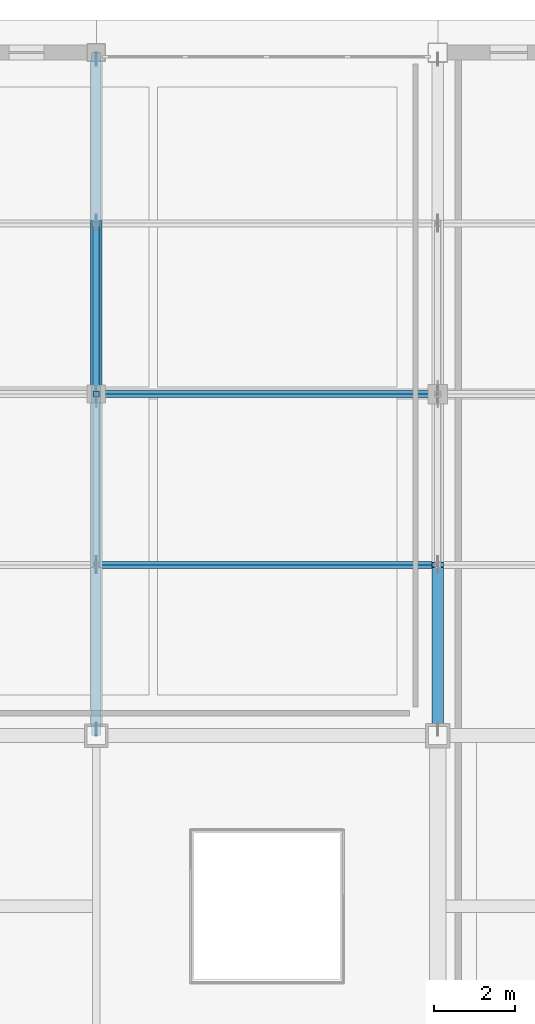
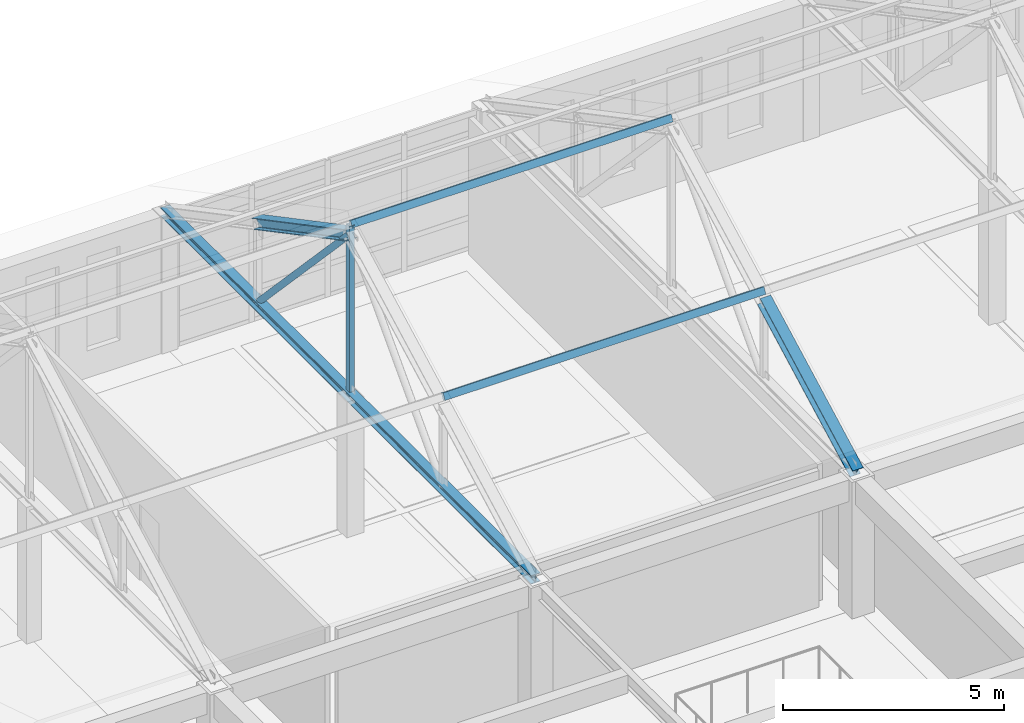
# One storey, part 20 of 56: 7 members.
"""IFC4 building model written with IfcOpenShell, lengths in metres."""

from ifc_helpers import new_model, si_unit, direction, frame, origin, origin_2d, place, context, subcontext, project, spatial, hollow_rectangle, hollow_circle, i_section, extrude, material, material_profile, profile_set, type_object, element, save


model = new_model("IFC4")

# Units and contexts
model_context = context("Model", 3, precision=1e-05, world=origin(), true_north=direction((0.0, 1.0)))
body_context = subcontext(model_context, "Body", "Model", "MODEL_VIEW")
ifc_project = project(units=[si_unit("LENGTHUNIT", "METRE"), si_unit("AREAUNIT", "SQUARE_METRE"), si_unit("VOLUMEUNIT", "CUBIC_METRE"), si_unit("PLANEANGLEUNIT", "RADIAN"), si_unit("MASSUNIT", "GRAM", prefix="KILO")], contexts=[model_context])

# Site, building, storey
site_placement = place(None, origin())
site = spatial("IfcSite", under=ifc_project, at=site_placement, CompositionType="ELEMENT")
building_placement = place(site_placement, origin())
building = spatial("IfcBuilding", under=site, at=building_placement, Name="Kveldsbrygga Polytechnic", CompositionType="ELEMENT")
storey_placement = place(building_placement, frame((0.0, 0.0, 18.02001953125)))
storey = spatial("IfcBuildingStorey", under=building, at=storey_placement, Name="L04", CompositionType="ELEMENT", Elevation=18.02001953125)

# Members
ifc_material = material(Name="Steel S355", Category="steel")
ifc_material_profile_1 = material_profile(ifc_material, hollow_circle(Radius=0.084228515625, WallThickness=0.010009765625, at=origin_2d()), Name="CHS 168.3x10.0")
ifc_profile_set_1 = profile_set([ifc_material_profile_1], Name="Steel S355")
member_type_1 = type_object("IfcMemberType", Name="BR-WIND-CHS168", PredefinedType="BRACE", material=ifc_profile_set_1)
member_1_placement = place(storey_placement, frame((142.800048828125, 109.199951171875, 8.22998046875), z_axis=(0.0, 0.686383320151, -0.727239945148), x_axis=(-1.0, 0.0, 0.0)))
element("IfcMember", 1, at=member_1_placement, inside=storey, type_object=member_type_1, Name="Truss Diagonal V4N5-T03-DG-3", PredefinedType="BRACE", context=body_context, shape_type="SweptSolid", body=[
    extrude(hollow_circle(Radius=0.084228515625, WallThickness=0.010009765625, at=origin_2d()), origin(), (0.0, 0.0, 1.0), 6.118896484375),
])
ifc_material_profile_2 = material_profile(ifc_material, hollow_rectangle(XDim=0.10009765625, YDim=0.179931640625, WallThickness=0.008056640625, at=origin_2d()), Name="RHS 180x100x8.0")
ifc_profile_set_2 = profile_set([ifc_material_profile_2], Name="Steel S355")
member_type_2 = type_object("IfcMemberType", Name="PRL-RHS180", PredefinedType="PURLIN", material=ifc_profile_set_2)
for number, where, z_axis, x_axis, name in (
    (2, (142.800048828125, 105.0, 6.265380859375), (1.0, 0.0, 0.0), (0.0, 0.883660254474, -0.468128779998), "Roof Purlin V4N5-PRL-3-1"),
    (3, (142.800048828125, 109.199951171875, 8.490234375), (1.0, 0.0, 0.0), (0.0, 0.883660254474, -0.468128779998), "Roof Purlin V4N5-PRL-3-2"),
):
    element("IfcMember", number, at=place(storey_placement, frame(where, z_axis=z_axis, x_axis=x_axis)), inside=storey, type_object=member_type_2, Name=name, PredefinedType="PURLIN", context=body_context, shape_type="SweptSolid", body=[
        extrude(hollow_rectangle(XDim=0.10009765625, YDim=0.179931640625, WallThickness=0.008056640625, at=origin_2d()), origin(), (0.0, 0.0, 1.0), 8.39990234375),
    ])
ifc_material_profile_3 = material_profile(ifc_material, i_section(OverallWidth=0.239990234375, OverallDepth=0.239990234375, WebThickness=0.010009765625, FlangeThickness=0.01708984375, FilletRadius=0.02099609375, at=origin_2d()), Name="HEB 240")
ifc_profile_set_3 = profile_set([ifc_material_profile_3], Name="Steel S355")
member_type_3 = type_object("IfcMemberType", Name="TR-BOT-HEB240", PredefinedType="CHORD", material=ifc_profile_set_3)
member_2_placement = place(storey_placement, frame((142.800048828125, 100.800048828125, 3.780029296875), z_axis=(0.0, 1.0, 0.0), x_axis=(-1.0, 0.0, 0.0)))
element("IfcMember", 4, at=member_2_placement, inside=storey, type_object=member_type_3, Name="Truss Bottom Chord V4N5-T03-BC-1", PredefinedType="CHORD", context=body_context, shape_type="SweptSolid", body=[
    extrude(i_section(OverallWidth=0.239990234375, OverallDepth=0.239990234375, WebThickness=0.010009765625, FlangeThickness=0.01708984375, FilletRadius=0.02099609375, at=origin_2d()), origin(), (0.0, 0.0, 1.0), 16.800048828125),
])
ifc_material_profile_4 = material_profile(ifc_material, hollow_rectangle(XDim=0.139892578125, YDim=0.139892578125, WallThickness=0.008056640625, at=origin_2d()), Name="SHS 140x140x8.0")
ifc_profile_set_4 = profile_set([ifc_material_profile_4], Name="Steel S355")
member_type_4 = type_object("IfcMemberType", Name="TR-POST-SHS140", PredefinedType="STRUT", material=ifc_profile_set_4)
member_3_placement = place(storey_placement, frame((142.800048828125, 109.199951171875, 3.780029296875), z_axis=(0.0, 0.0, 1.0), x_axis=(1.0, 0.0, 0.0)))
element("IfcMember", 5, at=member_3_placement, inside=storey, type_object=member_type_4, Name="Truss Vertical V4N5-T03-VT-2", PredefinedType="STRUT", context=body_context, shape_type="SweptSolid", body=[
    extrude(hollow_rectangle(XDim=0.139892578125, YDim=0.139892578125, WallThickness=0.008056640625, at=origin_2d()), origin(), (0.0, 0.0, 1.0), 4.710205078125),
])
ifc_material_profile_5 = material_profile(ifc_material, i_section(OverallWidth=0.280029296875, OverallDepth=0.280029296875, WebThickness=0.010498046875, FlangeThickness=0.01806640625, FilletRadius=0.02392578125, at=origin_2d()), Name="HEB 280")
ifc_profile_set_5 = profile_set([ifc_material_profile_5], Name="Steel S355")
member_type_5 = type_object("IfcMemberType", Name="TR-TOP-HEB280", PredefinedType="CHORD", material=ifc_profile_set_5)
for number, where, z_axis, x_axis, name in (
    (6, (142.800048828125, 109.199951171875, 8.22998046875), (0.0, 0.883649189339, -0.468149666432), (-1.0, 0.0, 0.0), "Truss Top Chord V4N5-T03-TC-3"),
    (7, (151.199951171875, 100.800048828125, 3.780029296875), (0.0, 0.883670438028, 0.468109556574), (-1.0, 0.0, 0.0), "Truss Top Chord V4N5-T04-TC-1"),
):
    element("IfcMember", number, at=place(storey_placement, frame(where, z_axis=z_axis, x_axis=x_axis)), inside=storey, type_object=member_type_5, Name=name, PredefinedType="CHORD", context=body_context, shape_type="SweptSolid", body=[
        extrude(i_section(OverallWidth=0.280029296875, OverallDepth=0.280029296875, WebThickness=0.010498046875, FlangeThickness=0.01806640625, FilletRadius=0.02392578125, at=origin_2d()), origin(), (0.0, 0.0, 1.0), 4.7529296875),
    ])

save(model, "model.ifc")
